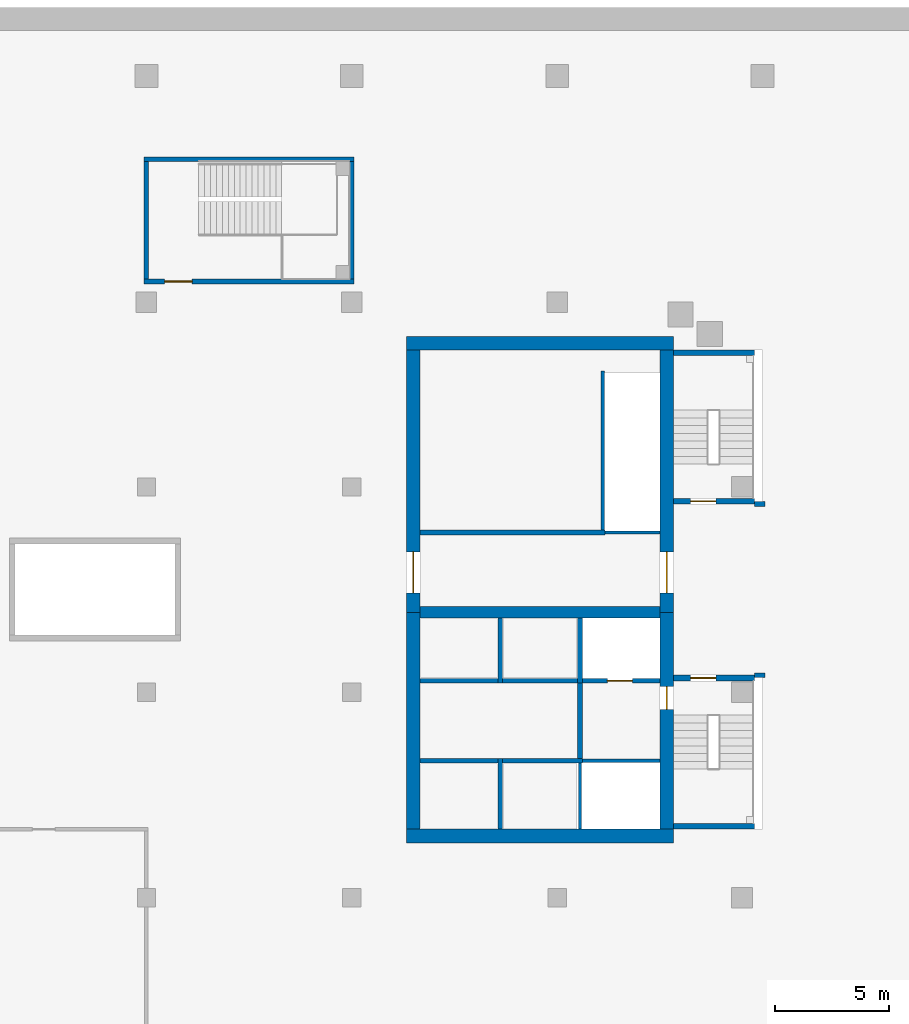
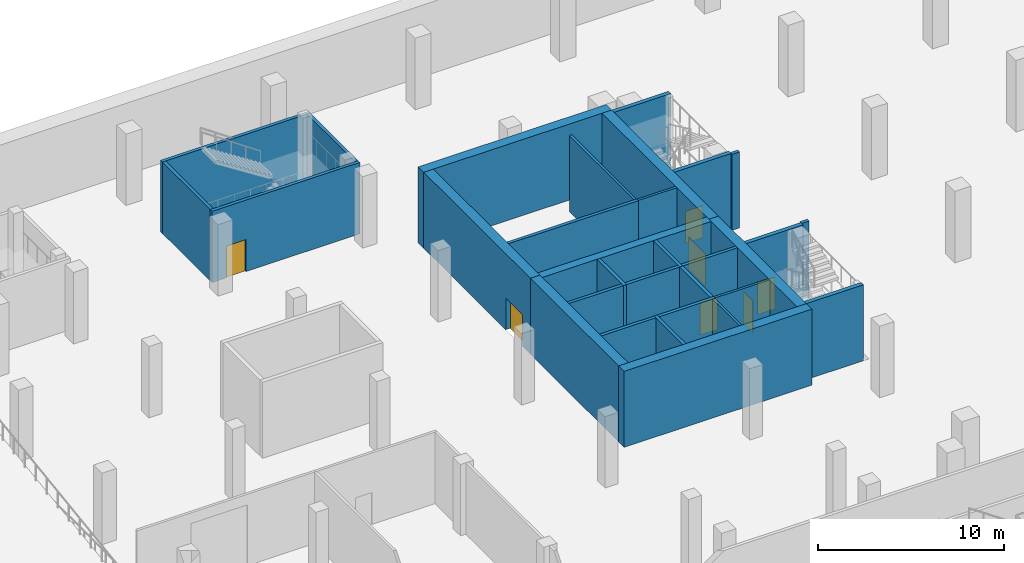
# One storey, part 5 of 19: 31 walls, 7 doors, 7 openings.
"""IFC4 building model written with IfcOpenShell, lengths in metres."""

from ifc_helpers import new_model, si_unit, direction, frame, frame_2d, origin, place, context, subcontext, project, spatial, rectangle, extrude, material, layer, layer_set, type_object, element, fill, save


model = new_model("IFC4")

# Units and contexts
model_context = context("Model", 3, precision=1e-05, world=origin(), true_north=direction((0.0, 1.0)))
body_context = subcontext(model_context, "Body", "Model", "MODEL_VIEW")
ifc_project = project(units=[si_unit("LENGTHUNIT", "METRE"), si_unit("AREAUNIT", "SQUARE_METRE"), si_unit("VOLUMEUNIT", "CUBIC_METRE"), si_unit("PLANEANGLEUNIT", "RADIAN"), si_unit("MASSUNIT", "GRAM", prefix="KILO")], contexts=[model_context])

# Site, building, storey
site_placement = place(None, origin())
site = spatial("IfcSite", under=ifc_project, at=site_placement, CompositionType="ELEMENT")
building_placement = place(site_placement, origin())
building = spatial("IfcBuilding", under=site, at=building_placement, Name="Cinnabar Reach Civic Tower", CompositionType="ELEMENT")
storey_placement = place(building_placement, frame((0.0, 0.0, -5.0)))
storey = spatial("IfcBuildingStorey", under=building, at=storey_placement, Name="B1", CompositionType="ELEMENT", Elevation=-5.0)

# Walls
ifc_material_1 = material(Name="Concrete C60", Category="concrete")
ifc_layer_1 = layer(ifc_material_1, 0.5)
ifc_layer_set_1 = layer_set([ifc_layer_1], Name="Core wall 500 EI 180")
wall_type_1 = type_object("IfcWallType", Name="Core wall 500 EI 180", PredefinedType="SOLIDWALL", material=ifc_layer_set_1)
wall_1_placement = place(storey_placement, frame((-42.0, 30.5, 0.0), z_axis=(0.0, 0.0, 1.0), x_axis=(1.0, 0.0, 0.0)))
element("IfcWall", 1, at=wall_1_placement, inside=storey, type_object=wall_type_1, Name="Core spine wall T2 B1", PredefinedType="SOLIDWALL", context=body_context, shape_type="SweptSolid", body=[
    extrude(rectangle(XDim=10.5, YDim=0.5, at=frame_2d((5.25, 0.0))), origin(), (0.0, 0.0, 1.0), 5.0),
])
ifc_material_2 = material(Name="Concrete C70", Category="concrete")
ifc_layer_2 = layer(ifc_material_2, 0.6)
ifc_layer_set_2 = layer_set([ifc_layer_2], Name="Core wall 600 EI 180")
wall_type_2 = type_object("IfcWallType", Name="Core wall 600 EI 180", PredefinedType="SOLIDWALL", material=ifc_layer_set_2)
for number, where, z_axis, x_axis, name in (
    (2, (-42.6, 20.7, 0.0), (0.0, 0.0, 1.0), (1.0, 0.0, 0.0), "Core wall T2 B1 S"),
    (3, (-30.9, 42.3, 0.0), (0.0, 0.0, 1.0), (-1.0, 0.0, 0.0), "Core wall T2 B1 N"),
):
    element("IfcWall", number, at=place(storey_placement, frame(where, z_axis=z_axis, x_axis=x_axis)), inside=storey, type_object=wall_type_2, Name=name, PredefinedType="SOLIDWALL", context=body_context, shape_type="SweptSolid", body=[
        extrude(rectangle(XDim=11.7, YDim=0.6, at=frame_2d((5.85, 0.0))), origin(), (0.0, 0.0, 1.0), 5.0),
    ])

# Wall, opening, door
wall_2_placement = place(storey_placement, frame((-31.2, 21.0, 0.0), z_axis=(0.0, 0.0, 1.0), x_axis=(0.0, 1.0, 0.0)))
wall_2 = element("IfcWall", 4, at=wall_2_placement, inside=storey, type_object=wall_type_2, Name="Core wall T2 B1 E", PredefinedType="SOLIDWALL", context=body_context, shape_type="SweptSolid", body=[
    extrude(rectangle(XDim=9.5, YDim=0.6, at=frame_2d((4.75, 0.0))), origin(), (0.0, 0.0, 1.0), 5.0),
])
opening_1_placement = place(wall_2_placement, frame((5.25, 0.0, 0.0)))
opening_1 = element("IfcOpeningElement", 5, at=opening_1_placement, cuts=wall_2, Name="Opening D6013", PredefinedType="OPENING", context=body_context, shape_type="SweptSolid", body=[
    extrude(rectangle(XDim=1.0, YDim=2.1, at=frame_2d((0.5, 1.05))), frame((0.0, 0.31, 0.0), z_axis=(0.0, -1.0, 0.0), x_axis=(1.0, 0.0, 0.0)), (0.0, 0.0, 1.0), 0.62),
])
ifc_material_3 = material(Name="Steel fire door", Category="steel")
door_type_1 = type_object("IfcDoorType", Name="T2 Firefighting lobby door 1000", OperationType="SINGLE_SWING_LEFT", PredefinedType="DOOR", material=ifc_material_3)
door_1_placement = place(opening_1_placement, frame((1.0, 0.0, 0.0), z_axis=(0.0, 0.0, 1.0), x_axis=(-1.0, 0.0, 0.0)))
door_1 = element("IfcDoor", 6, at=door_1_placement, inside=storey, type_object=door_type_1, Name="T2 Firefighting lobby door D6013", OperationType="SINGLE_SWING_LEFT", OverallHeight=2.1, OverallWidth=1.0, PredefinedType="DOOR", context=body_context, shape_type="SweptSolid", body=[
    extrude(rectangle(XDim=1.0, YDim=2.1, at=frame_2d((0.5, 1.05))), frame((0.0, 0.025, 0.0), z_axis=(0.0, -1.0, 0.0), x_axis=(1.0, 0.0, 0.0)), (0.0, 0.0, 1.0), 0.05),
])
fill(opening_1, door_1)

wall_3_placement = place(storey_placement, frame((-31.2, 30.5, 0.0), z_axis=(0.0, 0.0, 1.0), x_axis=(0.0, 1.0, 0.0)))
wall_3 = element("IfcWall", 7, at=wall_3_placement, inside=storey, type_object=wall_type_2, Name="Core wall T2 B1 E2", PredefinedType="SOLIDWALL", context=body_context, shape_type="SweptSolid", body=[
    extrude(rectangle(XDim=11.5, YDim=0.6, at=frame_2d((5.75, 0.0))), origin(), (0.0, 0.0, 1.0), 5.0),
])
opening_2_placement = place(wall_3_placement, frame((0.85, 0.0, 0.0)))
opening_2 = element("IfcOpeningElement", 8, at=opening_2_placement, cuts=wall_3, Name="Opening D6016", PredefinedType="OPENING", context=body_context, shape_type="SweptSolid", body=[
    extrude(rectangle(XDim=1.8, YDim=2.1, at=frame_2d((0.9, 1.05))), frame((0.0, 0.31, 0.0), z_axis=(0.0, -1.0, 0.0), x_axis=(1.0, 0.0, 0.0)), (0.0, 0.0, 1.0), 0.62),
])
door_type_2 = type_object("IfcDoorType", Name="T2 Double door 1800", OperationType="DOUBLE_DOOR_SINGLE_SWING", PredefinedType="DOOR", material=ifc_material_3)
door_2_placement = place(opening_2_placement, origin())
door_2 = element("IfcDoor", 9, at=door_2_placement, inside=storey, type_object=door_type_2, Name="T2 Double door D6016", OperationType="DOUBLE_DOOR_SINGLE_SWING", OverallHeight=2.1, OverallWidth=1.8, PredefinedType="DOOR", context=body_context, shape_type="SweptSolid", body=[
    extrude(rectangle(XDim=1.8, YDim=2.1, at=frame_2d((0.9, 1.05))), frame((0.0, 0.025, 0.0), z_axis=(0.0, -1.0, 0.0), x_axis=(1.0, 0.0, 0.0)), (0.0, 0.0, 1.0), 0.05),
])
fill(opening_2, door_2)

wall_4_placement = place(storey_placement, frame((-42.3, 42.0, 0.0), z_axis=(0.0, 0.0, 1.0), x_axis=(0.0, -1.0, 0.0)))
wall_4 = element("IfcWall", 10, at=wall_4_placement, inside=storey, type_object=wall_type_2, Name="Core wall T2 B1 W", PredefinedType="SOLIDWALL", context=body_context, shape_type="SweptSolid", body=[
    extrude(rectangle(XDim=11.5, YDim=0.6, at=frame_2d((5.75, 0.0))), origin(), (0.0, 0.0, 1.0), 5.0),
])
opening_3_placement = place(wall_4_placement, frame((8.85, 0.0, 0.0)))
opening_3 = element("IfcOpeningElement", 11, at=opening_3_placement, cuts=wall_4, Name="Opening D6017", PredefinedType="OPENING", context=body_context, shape_type="SweptSolid", body=[
    extrude(rectangle(XDim=1.8, YDim=2.1, at=frame_2d((0.9, 1.05))), frame((0.0, 0.31, 0.0), z_axis=(0.0, -1.0, 0.0), x_axis=(1.0, 0.0, 0.0)), (0.0, 0.0, 1.0), 0.62),
])
door_3_placement = place(opening_3_placement, frame((1.8, 0.0, 0.0), z_axis=(0.0, 0.0, 1.0), x_axis=(-1.0, 0.0, 0.0)))
door_3 = element("IfcDoor", 12, at=door_3_placement, inside=storey, type_object=door_type_2, Name="T2 Double door D6017", OperationType="DOUBLE_DOOR_SINGLE_SWING", OverallHeight=2.1, OverallWidth=1.8, PredefinedType="DOOR", context=body_context, shape_type="SweptSolid", body=[
    extrude(rectangle(XDim=1.8, YDim=2.1, at=frame_2d((0.9, 1.05))), frame((0.0, 0.025, 0.0), z_axis=(0.0, -1.0, 0.0), x_axis=(1.0, 0.0, 0.0)), (0.0, 0.0, 1.0), 0.05),
])
fill(opening_3, door_3)

# Walls
wall_5_placement = place(storey_placement, frame((-42.3, 30.5, 0.0), z_axis=(0.0, 0.0, 1.0), x_axis=(0.0, -1.0, 0.0)))
element("IfcWall", 13, at=wall_5_placement, inside=storey, type_object=wall_type_2, Name="Core wall T2 B1 W2", PredefinedType="SOLIDWALL", context=body_context, shape_type="SweptSolid", body=[
    extrude(rectangle(XDim=9.5, YDim=0.6, at=frame_2d((4.75, 0.0))), origin(), (0.0, 0.0, 1.0), 5.0),
])
ifc_material_4 = material(Name="Concrete C40", Category="concrete")
ifc_layer_3 = layer(ifc_material_4, 0.2)
ifc_layer_set_3 = layer_set([ifc_layer_3], Name="Podium stair shaft wall 200 EI 120")
wall_type_3 = type_object("IfcWallType", Name="Podium stair shaft wall 200 EI 120", PredefinedType="SOLIDWALL", material=ifc_layer_set_3)
wall_6_placement = place(storey_placement, frame((-54.1, 50.35, 0.0), z_axis=(0.0, 0.0, 1.0), x_axis=(1.0, 0.0, 0.0)))
element("IfcWall", 14, at=wall_6_placement, inside=storey, type_object=wall_type_3, Name="Wall B1 23", PredefinedType="SOLIDWALL", context=body_context, shape_type="SweptSolid", body=[
    extrude(rectangle(XDim=9.2, YDim=0.2, at=frame_2d((4.6, 0.0))), origin(), (0.0, 0.0, 1.0), 4.7),
])
wall_7_placement = place(storey_placement, frame((-45.0, 45.1, 0.0), z_axis=(0.0, 0.0, 1.0), x_axis=(0.0, 1.0, 0.0)))
element("IfcWall", 15, at=wall_7_placement, inside=storey, type_object=wall_type_3, Name="Wall B1 24", PredefinedType="SOLIDWALL", context=body_context, shape_type="SweptSolid", body=[
    extrude(rectangle(XDim=5.15, YDim=0.2, at=frame_2d((2.575, 0.0))), origin(), (0.0, 0.0, 1.0), 4.7),
])

# Wall, opening, door
wall_8_placement = place(storey_placement, frame((-54.1, 45.0, 0.0), z_axis=(0.0, 0.0, 1.0), x_axis=(1.0, 0.0, 0.0)))
wall_8 = element("IfcWall", 16, at=wall_8_placement, inside=storey, type_object=wall_type_3, Name="Wall B1 25", PredefinedType="SOLIDWALL", context=body_context, shape_type="SweptSolid", body=[
    extrude(rectangle(XDim=9.2, YDim=0.2, at=frame_2d((4.6, 0.0))), origin(), (0.0, 0.0, 1.0), 4.7),
])
opening_4_placement = place(wall_8_placement, frame((0.9, 0.0, 0.0)))
opening_4 = element("IfcOpeningElement", 17, at=opening_4_placement, cuts=wall_8, Name="Opening D1290", PredefinedType="OPENING", context=body_context, shape_type="SweptSolid", body=[
    extrude(rectangle(XDim=1.2, YDim=2.1, at=frame_2d((0.6, 1.05))), frame((0.0, 0.11, 0.0), z_axis=(0.0, -1.0, 0.0), x_axis=(1.0, 0.0, 0.0)), (0.0, 0.0, 1.0), 0.22),
])
ifc_material_5 = material(Name="Painted steel door leaf", Category="steel")
door_type_3 = type_object("IfcDoorType", Name="Podium single door 1200x2100", OperationType="SINGLE_SWING_LEFT", PredefinedType="DOOR", material=ifc_material_5)
door_4_placement = place(opening_4_placement, origin())
door_4 = element("IfcDoor", 18, at=door_4_placement, inside=storey, type_object=door_type_3, Name="Door D1290", OperationType="SINGLE_SWING_LEFT", OverallHeight=2.1, OverallWidth=1.2, PredefinedType="DOOR", context=body_context, shape_type="SweptSolid", body=[
    extrude(rectangle(XDim=1.2, YDim=2.1, at=frame_2d((0.6, 1.05))), frame((0.0, 0.025, 0.0), z_axis=(0.0, -1.0, 0.0), x_axis=(1.0, 0.0, 0.0)), (0.0, 0.0, 1.0), 0.05),
])
fill(opening_4, door_4)

# Walls
wall_9_placement = place(storey_placement, frame((-54.0, 45.1, 0.0), z_axis=(0.0, 0.0, 1.0), x_axis=(0.0, 1.0, 0.0)))
element("IfcWall", 19, at=wall_9_placement, inside=storey, type_object=wall_type_3, Name="Wall B1 26", PredefinedType="SOLIDWALL", context=body_context, shape_type="SweptSolid", body=[
    extrude(rectangle(XDim=5.15, YDim=0.2, at=frame_2d((2.575, 0.0))), origin(), (0.0, 0.0, 1.0), 4.7),
])
ifc_layer_4 = layer(ifc_material_1, 0.25)
ifc_layer_set_4 = layer_set([ifc_layer_4], Name="Stair shaft wall 250 EI 120")
wall_type_4 = type_object("IfcWallType", Name="Stair shaft wall 250 EI 120", PredefinedType="SOLIDWALL", material=ifc_layer_set_4)
wall_10_placement = place(storey_placement, frame((-30.9, 21.125, 0.0), z_axis=(0.0, 0.0, 1.0), x_axis=(1.0, 0.0, 0.0)))
element("IfcWall", 20, at=wall_10_placement, inside=storey, type_object=wall_type_4, Name="Stair shaft wall T2-S1 B1", PredefinedType="SOLIDWALL", context=body_context, shape_type="SweptSolid", body=[
    extrude(rectangle(XDim=3.54, YDim=0.25, at=frame_2d((1.77, 0.0))), origin(), (0.0, 0.0, 1.0), 5.0),
])

# Wall, opening, door
wall_11_placement = place(storey_placement, frame((-27.36, 27.625, 0.0), z_axis=(0.0, 0.0, 1.0), x_axis=(-1.0, 0.0, 0.0)))
wall_11 = element("IfcWall", 21, at=wall_11_placement, inside=storey, type_object=wall_type_4, Name="Stair shaft wall T2-S1 B1", PredefinedType="SOLIDWALL", context=body_context, shape_type="SweptSolid", body=[
    extrude(rectangle(XDim=3.54, YDim=0.25, at=frame_2d((1.77, 0.0))), origin(), (0.0, 0.0, 1.0), 5.0),
])
opening_5_placement = place(wall_11_placement, frame((1.69, 0.0, 0.0)))
opening_5 = element("IfcOpeningElement", 22, at=opening_5_placement, cuts=wall_11, Name="Opening D6014", PredefinedType="OPENING", context=body_context, shape_type="SweptSolid", body=[
    extrude(rectangle(XDim=1.1, YDim=2.1, at=frame_2d((0.55, 1.05))), frame((0.0, 0.135, 0.0), z_axis=(0.0, -1.0, 0.0), x_axis=(1.0, 0.0, 0.0)), (0.0, 0.0, 1.0), 0.27),
])
door_type_4 = type_object("IfcDoorType", Name="T2 Stair door 1100", OperationType="SINGLE_SWING_LEFT", PredefinedType="DOOR", material=ifc_material_3)
door_5_placement = place(opening_5_placement, origin())
door_5 = element("IfcDoor", 23, at=door_5_placement, inside=storey, type_object=door_type_4, Name="T2 Stair door D6014", OperationType="SINGLE_SWING_RIGHT", OverallHeight=2.1, OverallWidth=1.1, PredefinedType="DOOR", context=body_context, shape_type="SweptSolid", body=[
    extrude(rectangle(XDim=1.1, YDim=2.1, at=frame_2d((0.55, 1.05))), frame((0.0, 0.025, 0.0), z_axis=(0.0, -1.0, 0.0), x_axis=(1.0, 0.0, 0.0)), (0.0, 0.0, 1.0), 0.05),
])
fill(opening_5, door_5)

wall_12_placement = place(storey_placement, frame((-30.9, 35.375, 0.0), z_axis=(0.0, 0.0, 1.0), x_axis=(1.0, 0.0, 0.0)))
wall_12 = element("IfcWall", 24, at=wall_12_placement, inside=storey, type_object=wall_type_4, Name="Stair shaft wall T2-S2 B1", PredefinedType="SOLIDWALL", context=body_context, shape_type="SweptSolid", body=[
    extrude(rectangle(XDim=3.54, YDim=0.25, at=frame_2d((1.77, 0.0))), origin(), (0.0, 0.0, 1.0), 5.0),
])
opening_6_placement = place(wall_12_placement, frame((0.75, 0.0, 0.0)))
opening_6 = element("IfcOpeningElement", 25, at=opening_6_placement, cuts=wall_12, Name="Opening D6015", PredefinedType="OPENING", context=body_context, shape_type="SweptSolid", body=[
    extrude(rectangle(XDim=1.1, YDim=2.1, at=frame_2d((0.55, 1.05))), frame((0.0, 0.135, 0.0), z_axis=(0.0, -1.0, 0.0), x_axis=(1.0, 0.0, 0.0)), (0.0, 0.0, 1.0), 0.27),
])
door_6_placement = place(opening_6_placement, origin())
door_6 = element("IfcDoor", 26, at=door_6_placement, inside=storey, type_object=door_type_4, Name="T2 Stair door D6015", OperationType="SINGLE_SWING_LEFT", OverallHeight=2.1, OverallWidth=1.1, PredefinedType="DOOR", context=body_context, shape_type="SweptSolid", body=[
    extrude(rectangle(XDim=1.1, YDim=2.1, at=frame_2d((0.55, 1.05))), frame((0.0, 0.025, 0.0), z_axis=(0.0, -1.0, 0.0), x_axis=(1.0, 0.0, 0.0)), (0.0, 0.0, 1.0), 0.05),
])
fill(opening_6, door_6)

# Walls
wall_13_placement = place(storey_placement, frame((-27.36, 41.875, 0.0), z_axis=(0.0, 0.0, 1.0), x_axis=(-1.0, 0.0, 0.0)))
element("IfcWall", 27, at=wall_13_placement, inside=storey, type_object=wall_type_4, Name="Stair shaft wall T2-S2 B1", PredefinedType="SOLIDWALL", context=body_context, shape_type="SweptSolid", body=[
    extrude(rectangle(XDim=3.54, YDim=0.25, at=frame_2d((1.77, 0.0))), origin(), (0.0, 0.0, 1.0), 5.0),
])
ifc_layer_5 = layer(ifc_material_4, 0.15)
ifc_layer_set_5 = layer_set([ifc_layer_5], Name="T2 Riser wall 150")
wall_type_5 = type_object("IfcWallType", Name="T2 Riser wall 150", PredefinedType="SOLIDWALL", material=ifc_layer_set_5)
wall_14_placement = place(storey_placement, frame((-35.0, 21.0, 0.0), z_axis=(0.0, 0.0, 1.0), x_axis=(0.0, 1.0, 0.0)))
element("IfcWall", 28, at=wall_14_placement, inside=storey, type_object=wall_type_5, Name="T2 Riser wall B1 013", PredefinedType="SOLIDWALL", context=body_context, shape_type="SweptSolid", body=[
    extrude(rectangle(XDim=2.9, YDim=0.15, at=frame_2d((1.45, 0.0))), origin(), (0.0, 0.0, 1.0), 5.0),
])
wall_15_placement = place(storey_placement, frame((-31.5, 24.0, 0.0), z_axis=(0.0, 0.0, 1.0), x_axis=(-1.0, 0.0, 0.0)))
element("IfcWall", 29, at=wall_15_placement, inside=storey, type_object=wall_type_5, Name="T2 Riser wall B1 014", PredefinedType="SOLIDWALL", context=body_context, shape_type="SweptSolid", body=[
    extrude(rectangle(XDim=3.4, YDim=0.15, at=frame_2d((1.7, 0.0))), origin(), (0.0, 0.0, 1.0), 5.0),
])
wall_16_placement = place(storey_placement, frame((-33.9, 34.0, 0.0), z_axis=(0.0, 0.0, 1.0), x_axis=(1.0, 0.0, 0.0)))
element("IfcWall", 30, at=wall_16_placement, inside=storey, type_object=wall_type_5, Name="T2 Riser wall B1 015", PredefinedType="SOLIDWALL", context=body_context, shape_type="SweptSolid", body=[
    extrude(rectangle(XDim=2.4, YDim=0.15, at=frame_2d((1.2, 0.0))), origin(), (0.0, 0.0, 1.0), 5.0),
])
wall_17_placement = place(storey_placement, frame((-34.0, 41.075, 0.0), z_axis=(0.0, 0.0, 1.0), x_axis=(0.0, -1.0, 0.0)))
element("IfcWall", 31, at=wall_17_placement, inside=storey, type_object=wall_type_5, Name="T2 Riser wall B1 016", PredefinedType="SOLIDWALL", context=body_context, shape_type="SweptSolid", body=[
    extrude(rectangle(XDim=6.975, YDim=0.15, at=frame_2d((3.4875, 0.0))), origin(), (0.0, 0.0, 1.0), 5.0),
])
ifc_layer_6 = layer(ifc_material_4, 0.2)
ifc_layer_set_6 = layer_set([ifc_layer_6], Name="T2 Shaft wall 200")
wall_type_6 = type_object("IfcWallType", Name="T2 Shaft wall 200", PredefinedType="SOLIDWALL", material=ifc_layer_set_6)
wall_18_placement = place(storey_placement, frame((-38.5, 21.0, 0.0), z_axis=(0.0, 0.0, 1.0), x_axis=(0.0, 1.0, 0.0)))
element("IfcWall", 32, at=wall_18_placement, inside=storey, type_object=wall_type_6, Name="T2 Shaft wall B1 001", PredefinedType="SOLIDWALL", context=body_context, shape_type="SweptSolid", body=[
    extrude(rectangle(XDim=3.1, YDim=0.2, at=frame_2d((1.55, 0.0))), origin(), (0.0, 0.0, 1.0), 5.0),
])
wall_19_placement = place(storey_placement, frame((-38.6, 24.0, 0.0), z_axis=(0.0, 0.0, 1.0), x_axis=(-1.0, 0.0, 0.0)))
element("IfcWall", 33, at=wall_19_placement, inside=storey, type_object=wall_type_6, Name="T2 Shaft wall B1 002", PredefinedType="SOLIDWALL", context=body_context, shape_type="SweptSolid", body=[
    extrude(rectangle(XDim=3.4, YDim=0.2, at=frame_2d((1.7, 0.0))), origin(), (0.0, 0.0, 1.0), 5.0),
])
wall_20_placement = place(storey_placement, frame((-34.9, 24.0, 0.0), z_axis=(0.0, 0.0, 1.0), x_axis=(-1.0, 0.0, 0.0)))
element("IfcWall", 34, at=wall_20_placement, inside=storey, type_object=wall_type_6, Name="T2 Shaft wall B1 003", PredefinedType="SOLIDWALL", context=body_context, shape_type="SweptSolid", body=[
    extrude(rectangle(XDim=3.5, YDim=0.2, at=frame_2d((1.75, 0.0))), origin(), (0.0, 0.0, 1.0), 5.0),
])
wall_21_placement = place(storey_placement, frame((-38.5, 27.4, 0.0), z_axis=(0.0, 0.0, 1.0), x_axis=(0.0, 1.0, 0.0)))
element("IfcWall", 35, at=wall_21_placement, inside=storey, type_object=wall_type_6, Name="T2 Shaft wall B1 004", PredefinedType="SOLIDWALL", context=body_context, shape_type="SweptSolid", body=[
    extrude(rectangle(XDim=2.85, YDim=0.2, at=frame_2d((1.425, 0.0))), origin(), (0.0, 0.0, 1.0), 5.0),
])
wall_22_placement = place(storey_placement, frame((-42.0, 27.5, 0.0), z_axis=(0.0, 0.0, 1.0), x_axis=(1.0, 0.0, 0.0)))
element("IfcWall", 36, at=wall_22_placement, inside=storey, type_object=wall_type_6, Name="T2 Shaft wall B1 005", PredefinedType="SOLIDWALL", context=body_context, shape_type="SweptSolid", body=[
    extrude(rectangle(XDim=3.4, YDim=0.2, at=frame_2d((1.7, 0.0))), origin(), (0.0, 0.0, 1.0), 5.0),
])
wall_23_placement = place(storey_placement, frame((-35.0, 27.4, 0.0), z_axis=(0.0, 0.0, 1.0), x_axis=(0.0, 1.0, 0.0)))
element("IfcWall", 37, at=wall_23_placement, inside=storey, type_object=wall_type_6, Name="T2 Shaft wall B1 006", PredefinedType="SOLIDWALL", context=body_context, shape_type="SweptSolid", body=[
    extrude(rectangle(XDim=2.85, YDim=0.2, at=frame_2d((1.425, 0.0))), origin(), (0.0, 0.0, 1.0), 5.0),
])
wall_24_placement = place(storey_placement, frame((-38.4, 27.5, 0.0), z_axis=(0.0, 0.0, 1.0), x_axis=(1.0, 0.0, 0.0)))
element("IfcWall", 38, at=wall_24_placement, inside=storey, type_object=wall_type_6, Name="T2 Shaft wall B1 007", PredefinedType="SOLIDWALL", context=body_context, shape_type="SweptSolid", body=[
    extrude(rectangle(XDim=3.3, YDim=0.2, at=frame_2d((1.65, 0.0))), origin(), (0.0, 0.0, 1.0), 5.0),
])

# Wall, opening, door
wall_25_placement = place(storey_placement, frame((-34.9, 27.5, 0.0), z_axis=(0.0, 0.0, 1.0), x_axis=(1.0, 0.0, 0.0)))
wall_25 = element("IfcWall", 39, at=wall_25_placement, inside=storey, type_object=wall_type_6, Name="T2 Shaft wall B1 008", PredefinedType="SOLIDWALL", context=body_context, shape_type="SweptSolid", body=[
    extrude(rectangle(XDim=3.4, YDim=0.2, at=frame_2d((1.7, 0.0))), origin(), (0.0, 0.0, 1.0), 5.0),
])
opening_7_placement = place(wall_25_placement, frame((1.1, 0.0, 0.0)))
opening_7 = element("IfcOpeningElement", 40, at=opening_7_placement, cuts=wall_25, Name="Opening D6012", PredefinedType="OPENING", context=body_context, shape_type="SweptSolid", body=[
    extrude(rectangle(XDim=1.1, YDim=2.1, at=frame_2d((0.55, 1.05))), frame((0.0, 0.11, 0.0), z_axis=(0.0, -1.0, 0.0), x_axis=(1.0, 0.0, 0.0)), (0.0, 0.0, 1.0), 0.22),
])
door_type_5 = type_object("IfcDoorType", Name="T2 Firefighting lift landing door 1100", OperationType="SLIDING_TO_LEFT", PredefinedType="DOOR", material=ifc_material_3)
door_7_placement = place(opening_7_placement, origin())
door_7 = element("IfcDoor", 41, at=door_7_placement, inside=storey, type_object=door_type_5, Name="T2 Firefighting lift landing door D6012", OperationType="SLIDING_TO_LEFT", OverallHeight=2.1, OverallWidth=1.1, PredefinedType="DOOR", context=body_context, shape_type="SweptSolid", body=[
    extrude(rectangle(XDim=1.1, YDim=2.1, at=frame_2d((0.55, 1.05))), frame((0.0, 0.025, 0.0), z_axis=(0.0, -1.0, 0.0), x_axis=(1.0, 0.0, 0.0)), (0.0, 0.0, 1.0), 0.05),
])
fill(opening_7, door_7)

# Walls
wall_26_placement = place(storey_placement, frame((-35.0, 24.1, 0.0), z_axis=(0.0, 0.0, 1.0), x_axis=(0.0, 1.0, 0.0)))
element("IfcWall", 42, at=wall_26_placement, inside=storey, type_object=wall_type_6, Name="T2 Shaft wall B1 009", PredefinedType="SOLIDWALL", context=body_context, shape_type="SweptSolid", body=[
    extrude(rectangle(XDim=3.3, YDim=0.2, at=frame_2d((1.65, 0.0))), origin(), (0.0, 0.0, 1.0), 5.0),
])
wall_27_placement = place(storey_placement, frame((-33.9, 34.0, 0.0), z_axis=(0.0, 0.0, 1.0), x_axis=(-1.0, 0.0, 0.0)))
element("IfcWall", 43, at=wall_27_placement, inside=storey, type_object=wall_type_6, Name="T2 Shaft wall B1 012", PredefinedType="SOLIDWALL", context=body_context, shape_type="SweptSolid", body=[
    extrude(rectangle(XDim=8.1, YDim=0.2, at=frame_2d((4.05, 0.0))), origin(), (0.0, 0.0, 1.0), 5.0),
])
ifc_layer_7 = layer(ifc_material_4, 0.2)
ifc_layer_set_7 = layer_set([ifc_layer_7], Name="T2 Stair enclosure wall 200")
wall_type_7 = type_object("IfcWallType", Name="T2 Stair enclosure wall 200", PredefinedType="SOLIDWALL", material=ifc_layer_set_7)
for number, where, z_axis, x_axis, name in (
    (44, (-27.36, 27.75, 0.0), (0.0, 0.0, 1.0), (1.0, 0.0, 0.0), "T2 Stair enclosure wall B1 010"),
    (45, (-26.9, 35.25, 0.0), (0.0, 0.0, 1.0), (-1.0, 0.0, 0.0), "T2 Stair enclosure wall B1 011"),
):
    element("IfcWall", number, at=place(storey_placement, frame(where, z_axis=z_axis, x_axis=x_axis)), inside=storey, type_object=wall_type_7, Name=name, PredefinedType="SOLIDWALL", context=body_context, shape_type="SweptSolid", body=[
        extrude(rectangle(XDim=0.46, YDim=0.2, at=frame_2d((0.23, 0.0))), origin(), (0.0, 0.0, 1.0), 5.0),
    ])

save(model, "model.ifc")
